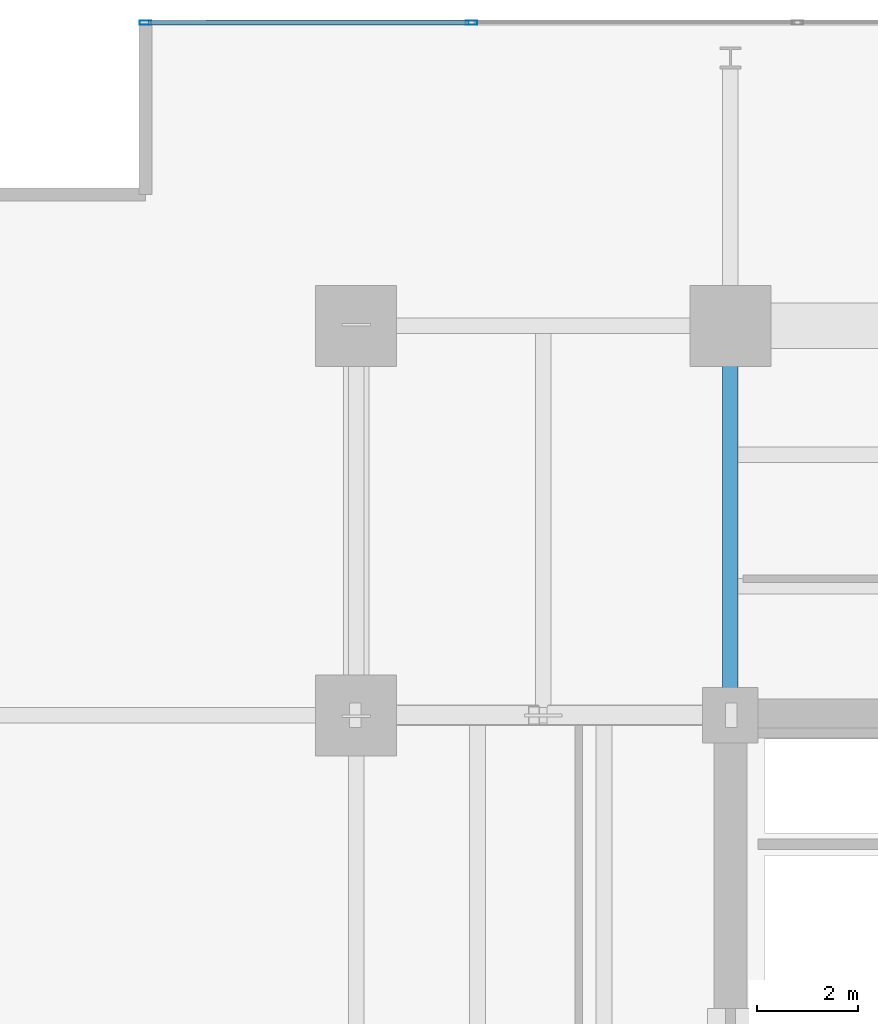
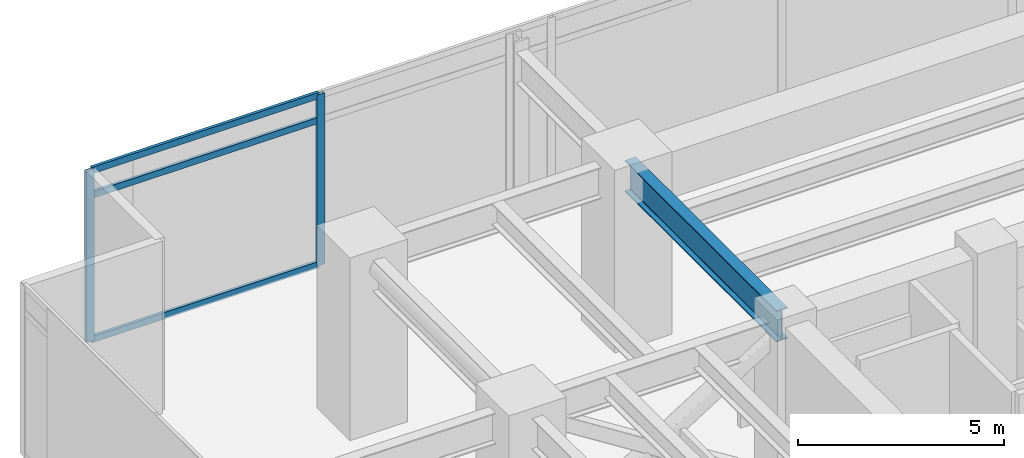
# One storey, part 15 of 26: 5 members, 1 beam, 1 element without a shape of its own.
"""IFC4 building model written with IfcOpenShell, lengths in metres."""

from ifc_helpers import new_model, si_unit, direction, frame, origin, origin_2d, place, context, subcontext, project, spatial, hollow_rectangle, i_section, extrude, material, material_profile, profile_set, type_object, element, aggregate, save


model = new_model("IFC4")

# Units and contexts
model_context = context("Model", 3, precision=1e-05, world=origin(), true_north=direction((0.0, 1.0)))
body_context = subcontext(model_context, "Body", "Model", "MODEL_VIEW")
ifc_project = project(units=[si_unit("LENGTHUNIT", "METRE"), si_unit("AREAUNIT", "SQUARE_METRE"), si_unit("VOLUMEUNIT", "CUBIC_METRE"), si_unit("PLANEANGLEUNIT", "RADIAN"), si_unit("MASSUNIT", "GRAM", prefix="KILO")], contexts=[model_context])

# Site, building, storey
site_placement = place(None, origin())
site = spatial("IfcSite", under=ifc_project, at=site_placement, CompositionType="ELEMENT")
building_placement = place(site_placement, origin())
building = spatial("IfcBuilding", under=site, at=building_placement, Name="Kovane Verandah Tower", CompositionType="ELEMENT")
storey_placement = place(building_placement, frame((0.0, 0.0, 113.0)))
storey = spatial("IfcBuildingStorey", under=building, at=storey_placement, Name="L26", CompositionType="ELEMENT", Elevation=113.0)

# Beam
ifc_material_1 = material(Name="Steel S460", Category="steel")
ifc_material_profile_1 = material_profile(ifc_material_1, i_section(OverallWidth=0.3076171875, OverallDepth=0.926513671875, WebThickness=0.01953125, FlangeThickness=0.031982421875, FilletRadius=0.01904296875, at=origin_2d()), Name="UB914x305x289")
ifc_profile_set_1 = profile_set([ifc_material_profile_1], Name="Steel S460")
beam_type = type_object("IfcBeamType", Name="BM-UB914x289", PredefinedType="BEAM", material=ifc_profile_set_1)
beam_placement = place(storey_placement, frame((29.0, 36.679931640625, 4.63671875), z_axis=(0.0, 1.0, 0.0), x_axis=(-1.0, 0.0, 0.0)))
element("IfcBeam", 1, at=beam_placement, inside=storey, type_object=beam_type, Name="L26 Primary Tower Girder G-N1", PredefinedType="BEAM", context=body_context, shape_type="SweptSolid", body=[
    extrude(i_section(OverallWidth=0.3076171875, OverallDepth=0.926513671875, WebThickness=0.01953125, FlangeThickness=0.031982421875, FilletRadius=0.01904296875, at=origin_2d()), origin(), (0.0, 0.0, 1.0), 7.340087890625),
])

# Curtain wall, members
ifc_material_2 = material(Name="Champagne Anodised Aluminium Frame with Low-E Clear Laminated Glass", Category="aluminium")
curtain_wall_type = type_object("IfcCurtainWallType", Name="CW-SYS-02-LOW", PredefinedType="NOTDEFINED", material=ifc_material_2)
curtain_wall_placement = place(storey_placement, origin())
curtain_wall = element("IfcCurtainWall", 2, at=curtain_wall_placement, inside=storey, type_object=curtain_wall_type, Name="L26 N Unitised Curtain Wall", PredefinedType="NOTDEFINED")
ifc_material_3 = material(Name="Champagne Anodised Aluminium 6063-T6", Category="aluminium")
ifc_material_profile_2 = material_profile(ifc_material_3, hollow_rectangle(XDim=0.0849609375, YDim=0.22998046875, WallThickness=0.00390625, at=origin_2d()), Name="AL85x230x4")
ifc_profile_set_2 = profile_set([ifc_material_profile_2], Name="Champagne Anodised Aluminium 6063-T6")
member_type_1 = type_object("IfcMemberType", Name="CW-MUL-85x230", PredefinedType="MULLION", material=ifc_profile_set_2)
member_1_placement = place(storey_placement, frame((23.8828125, 50.19482421875, 0.02001953125), z_axis=(0.0, 0.0, 1.0), x_axis=(0.0, 1.0, 0.0)))
member_1 = element("IfcMember", 3, at=member_1_placement, type_object=member_type_1, Name="L26 N Unitised Curtain Wall Mullion 7", PredefinedType="MULLION", context=body_context, shape_type="SweptSolid", body=[
    extrude(hollow_rectangle(XDim=0.0849609375, YDim=0.22998046875, WallThickness=0.00390625, at=origin_2d()), origin(), (0.0, 0.0, 1.0), 5.06005859375),
])
member_2_placement = place(storey_placement, frame((17.435791015625, 50.19482421875, 0.02001953125), z_axis=(0.0, 0.0, 1.0), x_axis=(0.0, 1.0, 0.0)))
member_2 = element("IfcMember", 4, at=member_2_placement, type_object=member_type_1, Name="L26 N Unitised Curtain Wall Mullion 8", PredefinedType="MULLION", context=body_context, shape_type="SweptSolid", body=[
    extrude(hollow_rectangle(XDim=0.0849609375, YDim=0.22998046875, WallThickness=0.00390625, at=origin_2d()), origin(), (0.0, 0.0, 1.0), 5.06005859375),
])
ifc_material_profile_3 = material_profile(ifc_material_3, hollow_rectangle(XDim=0.0849609375, YDim=0.18994140625, WallThickness=0.00390625, at=origin_2d()), Name="AL85x190x4")
ifc_profile_set_3 = profile_set([ifc_material_profile_3], Name="Champagne Anodised Aluminium 6063-T6")
member_type_2 = type_object("IfcMemberType", Name="CW-TRN-85x190", PredefinedType="USERDEFINED", material=ifc_profile_set_3)
member_3_placement = place(storey_placement, frame((23.832763671875, 50.19482421875, 0.050048828125), z_axis=(-1.0, 0.0, 0.0), x_axis=(0.0, -1.0, 0.0)))
member_3 = element("IfcMember", 5, at=member_3_placement, type_object=member_type_2, Name="L26 N Unitised Curtain Wall Transom TB Bay 7", ObjectType="TRANSOM", PredefinedType="USERDEFINED", context=body_context, shape_type="SweptSolid", body=[
    extrude(hollow_rectangle(XDim=0.0849609375, YDim=0.18994140625, WallThickness=0.00390625, at=origin_2d()), origin(), (0.0, 0.0, 1.0), 6.346923828125),
])
member_4_placement = place(storey_placement, frame((23.832763671875, 50.19482421875, 4.320068359375), z_axis=(-1.0, 0.0, 0.0), x_axis=(0.0, -1.0, 0.0)))
member_4 = element("IfcMember", 6, at=member_4_placement, type_object=member_type_2, Name="L26 N Unitised Curtain Wall Transom TM Bay 7", ObjectType="TRANSOM", PredefinedType="USERDEFINED", context=body_context, shape_type="SweptSolid", body=[
    extrude(hollow_rectangle(XDim=0.0849609375, YDim=0.18994140625, WallThickness=0.00390625, at=origin_2d()), origin(), (0.0, 0.0, 1.0), 6.346923828125),
])
member_5_placement = place(storey_placement, frame((23.832763671875, 50.19482421875, 5.050048828125), z_axis=(-1.0, 0.0, 0.0), x_axis=(0.0, -1.0, 0.0)))
member_5 = element("IfcMember", 7, at=member_5_placement, type_object=member_type_2, Name="L26 N Unitised Curtain Wall Transom TT Bay 7", ObjectType="TRANSOM", PredefinedType="USERDEFINED", context=body_context, shape_type="SweptSolid", body=[
    extrude(hollow_rectangle(XDim=0.0849609375, YDim=0.18994140625, WallThickness=0.00390625, at=origin_2d()), origin(), (0.0, 0.0, 1.0), 6.346923828125),
])
aggregate(curtain_wall, [member_1, member_2, member_3, member_4, member_5])

save(model, "model.ifc")
